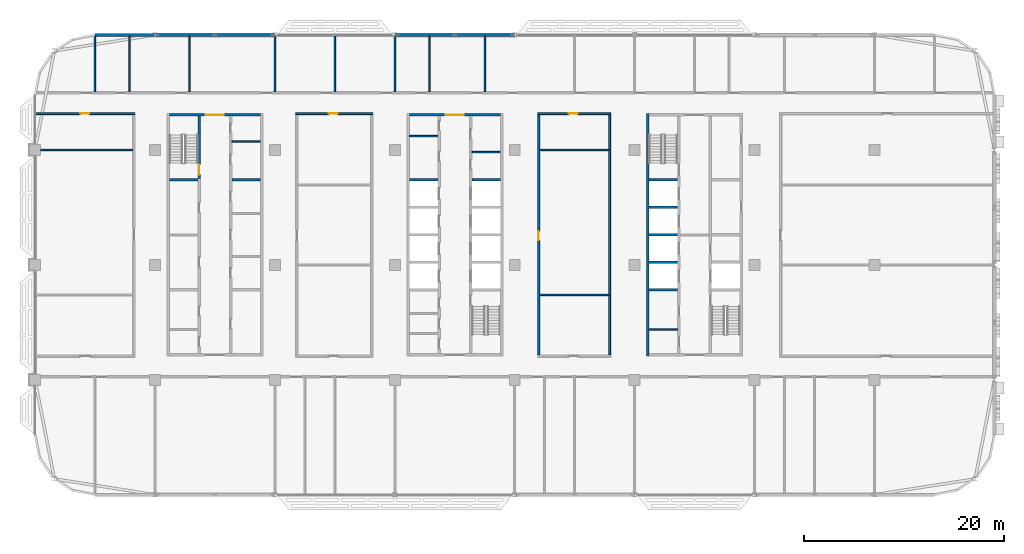
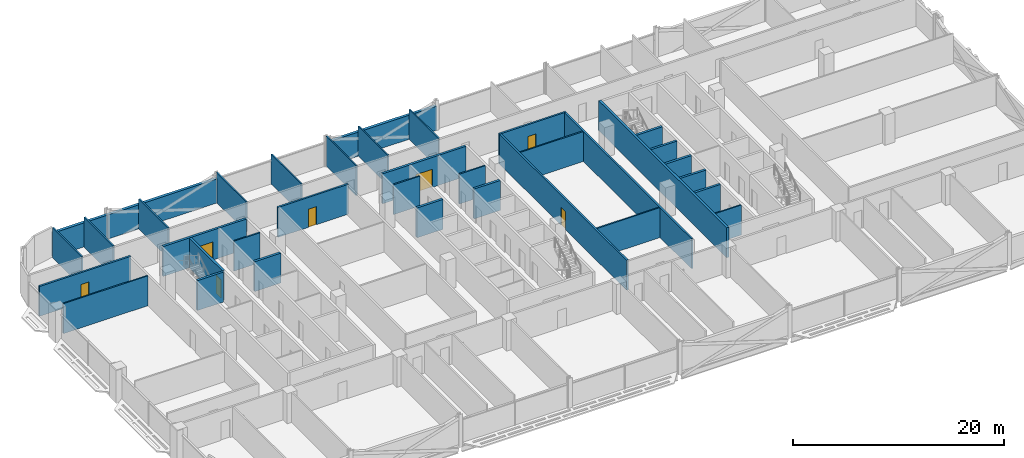
# One storey, part 15 of 30: 36 walls, 7 doors, 7 openings.
"""IFC4 building model written with IfcOpenShell, lengths in metres."""

from ifc_helpers import new_model, si_unit, direction, frame, frame_2d, origin, place, context, subcontext, project, spatial, rectangle, extrude, material, layer, layer_set, type_object, element, fill, save


model = new_model("IFC4")

# Units and contexts
model_context = context("Model", 3, precision=1e-05, world=origin(), true_north=direction((0.0, 1.0)))
body_context = subcontext(model_context, "Body", "Model", "MODEL_VIEW")
ifc_project = project(units=[si_unit("LENGTHUNIT", "METRE"), si_unit("AREAUNIT", "SQUARE_METRE"), si_unit("VOLUMEUNIT", "CUBIC_METRE"), si_unit("PLANEANGLEUNIT", "RADIAN"), si_unit("MASSUNIT", "GRAM", prefix="KILO")], contexts=[model_context])

# Site, building, storey
site_placement = place(None, origin())
site = spatial("IfcSite", under=ifc_project, at=site_placement, CompositionType="ELEMENT")
building_placement = place(site_placement, origin())
building = spatial("IfcBuilding", under=site, at=building_placement, Name="Mahtab Terrace Research Tower", CompositionType="ELEMENT")
storey_placement = place(building_placement, frame((0.0, 0.0, 212.89990234375)))
storey = spatial("IfcBuildingStorey", under=building, at=storey_placement, Name="L51", CompositionType="ELEMENT", Elevation=212.89990234375)

# Walls
ifc_material_1 = material(Name="Gypsum board partition")
ifc_layer_1 = layer(ifc_material_1, 0.14990234375)
ifc_layer_set_1 = layer_set([ifc_layer_1], Name="Core partition 150")
wall_type_1 = type_object("IfcWallType", Name="Core partition 150", PredefinedType="PARTITIONING", material=ifc_layer_set_1)
for number, where, z_axis, x_axis, name in (
    (1, (-22.300048828125, 12.35498046875, 0.0), (0.0, 0.0, 1.0), (1.0, 0.0, 0.0), "Core wall A pEN936"),
    (2, (-4.550048828125, 12.875, 0.0), (0.0, 0.0, 1.0), (1.0, 0.0, 0.0), "Core wall B pWN988"),
    (3, (1.699951171875, 11.27490234375, 0.0), (0.0, 0.0, 1.0), (1.0, 0.0, 0.0), "Core wall B pEN828"),
    (4, (19.449951171875, -6.47509765625, 0.0), (0.0, 0.0, 1.0), (1.0, 0.0, 0.0), "Core wall C pWS-948"),
):
    element("IfcWall", number, at=place(storey_placement, frame(where, z_axis=z_axis, x_axis=x_axis)), inside=storey, type_object=wall_type_1, Name=name, PredefinedType="PARTITIONING", context=body_context, shape_type="SweptSolid", body=[
        extrude(rectangle(XDim=2.85009765625, YDim=0.14990234375, at=frame_2d((1.425048828125, 0.0))), origin(), (0.0, 0.0, 1.0), 3.460205078125),
    ])

# Wall, opening, door
ifc_material_2 = material(Name="Concrete C70/85", Category="concrete")
ifc_layer_2 = layer(ifc_material_2, 0.25)
ifc_layer_set_2 = layer_set([ifc_layer_2], Name="Core wall 250")
wall_type_2 = type_object("IfcWallType", Name="Core wall 250", PredefinedType="SOLIDWALL", material=ifc_layer_set_2)
wall_1_placement = place(storey_placement, frame((-28.550048828125, 15.0, 0.0), z_axis=(0.0, 0.0, 1.0), x_axis=(1.0, 0.0, 0.0)))
wall_1 = element("IfcWall", 5, at=wall_1_placement, inside=storey, type_object=wall_type_2, Name="Core wall A endN", PredefinedType="SOLIDWALL", context=body_context, shape_type="SweptSolid", body=[
    extrude(rectangle(XDim=9.10009765625, YDim=0.25, at=frame_2d((4.550048828125, 0.0))), origin(), (0.0, 0.0, 1.0), 3.460205078125),
])
opening_1_placement = place(wall_1_placement, frame((3.64990234375, 0.0, 0.0)))
opening_1 = element("IfcOpeningElement", 6, at=opening_1_placement, cuts=wall_1, Name="Opening A-N1", PredefinedType="OPENING", context=body_context, shape_type="SweptSolid", body=[
    extrude(rectangle(XDim=1.800048828125, YDim=2.10009765625, at=frame_2d((0.89990234375, 1.050048828125))), frame((0.0, 0.135009765625, 0.0), z_axis=(0.0, -1.0, 0.0), x_axis=(1.0, 0.0, 0.0)), (0.0, 0.0, 1.0), 0.27001953125),
])
ifc_material_3 = material(Name="Steel fire door", Category="steel")
door_type_1 = type_object("IfcDoorType", Name="Lobby double door 1800x2100 1 HR", OperationType="DOUBLE_DOOR_SINGLE_SWING", PredefinedType="DOOR", material=ifc_material_3)
door_1_placement = place(opening_1_placement, origin())
door_1 = element("IfcDoor", 7, at=door_1_placement, inside=storey, type_object=door_type_1, Name="Core entrance door A N", OperationType="DOUBLE_DOOR_SINGLE_SWING", OverallHeight=2.10009765625, OverallWidth=1.800048828125, PredefinedType="DOOR", context=body_context, shape_type="SweptSolid", body=[
    extrude(rectangle(XDim=1.800048828125, YDim=2.10009765625, at=frame_2d((0.89990234375, 1.050048828125))), frame((0.0, 0.02490234375, 0.0), z_axis=(0.0, -1.0, 0.0), x_axis=(1.0, 0.0, 0.0)), (0.0, 0.0, 1.0), 0.050048828125),
])
fill(opening_1, door_1)

wall_2_placement = place(storey_placement, frame((-25.574951171875, 14.875, 0.0), z_axis=(0.0, 0.0, 1.0), x_axis=(0.0, -1.0, 0.0)))
wall_2 = element("IfcWall", 8, at=wall_2_placement, inside=storey, type_object=wall_type_2, Name="Core wall A innerWN", PredefinedType="SOLIDWALL", context=body_context, shape_type="SweptSolid", body=[
    extrude(rectangle(XDim=6.25, YDim=0.25, at=frame_2d((3.125, 0.0))), origin(), (0.0, 0.0, 1.0), 3.460205078125),
])
opening_2_placement = place(wall_2_placement, frame((4.85009765625, 0.0, 0.0)))
opening_2 = element("IfcOpeningElement", 9, at=opening_2_placement, cuts=wall_2, Name="Opening A-ST1", PredefinedType="OPENING", context=body_context, shape_type="SweptSolid", body=[
    extrude(rectangle(XDim=1.0, YDim=2.10009765625, at=frame_2d((0.5, 1.050048828125))), frame((0.0, 0.135009765625, 0.0), z_axis=(0.0, -1.0, 0.0), x_axis=(1.0, 0.0, 0.0)), (0.0, 0.0, 1.0), 0.27001953125),
])
door_type_2 = type_object("IfcDoorType", Name="Stair door 1000x2100 1.5 HR", OperationType="NOTDEFINED", PredefinedType="DOOR", material=ifc_material_3)
door_2_placement = place(opening_2_placement, origin())
door_2 = element("IfcDoor", 10, at=door_2_placement, inside=storey, type_object=door_type_2, Name="Stair door ST1 L51", OperationType="SINGLE_SWING_LEFT", OverallHeight=2.10009765625, OverallWidth=1.0, PredefinedType="DOOR", context=body_context, shape_type="SweptSolid", body=[
    extrude(rectangle(XDim=1.0, YDim=2.10009765625, at=frame_2d((0.5, 1.050048828125))), frame((0.0, 0.02490234375, 0.0), z_axis=(0.0, -1.0, 0.0), x_axis=(1.0, 0.0, 0.0)), (0.0, 0.0, 1.0), 0.050048828125),
])
fill(opening_2, door_2)

# Walls
for number, where, z_axis, x_axis, name in (
    (11, (-28.550048828125, 8.5, 0.0), (0.0, 0.0, 1.0), (1.0, 0.0, 0.0), "Core wall A divW4"),
    (12, (-22.300048828125, 8.5, 0.0), (0.0, 0.0, 1.0), (1.0, 0.0, 0.0), "Core wall A divE4"),
):
    element("IfcWall", number, at=place(storey_placement, frame(where, z_axis=z_axis, x_axis=x_axis)), inside=storey, type_object=wall_type_2, Name=name, PredefinedType="SOLIDWALL", context=body_context, shape_type="SweptSolid", body=[
        extrude(rectangle(XDim=2.85009765625, YDim=0.25, at=frame_2d((1.425048828125, 0.0))), origin(), (0.0, 0.0, 1.0), 3.460205078125),
    ])

# Wall, opening, door
wall_3_placement = place(storey_placement, frame((-4.550048828125, 15.0, 0.0), z_axis=(0.0, 0.0, 1.0), x_axis=(1.0, 0.0, 0.0)))
wall_3 = element("IfcWall", 13, at=wall_3_placement, inside=storey, type_object=wall_type_2, Name="Core wall B endN", PredefinedType="SOLIDWALL", context=body_context, shape_type="SweptSolid", body=[
    extrude(rectangle(XDim=9.10009765625, YDim=0.25, at=frame_2d((4.550048828125, 0.0))), origin(), (0.0, 0.0, 1.0), 3.460205078125),
])
opening_3_placement = place(wall_3_placement, frame((3.64990234375, 0.0, 0.0)))
opening_3 = element("IfcOpeningElement", 14, at=opening_3_placement, cuts=wall_3, Name="Opening B-N1", PredefinedType="OPENING", context=body_context, shape_type="SweptSolid", body=[
    extrude(rectangle(XDim=1.800048828125, YDim=2.10009765625, at=frame_2d((0.89990234375, 1.050048828125))), frame((0.0, 0.135009765625, 0.0), z_axis=(0.0, -1.0, 0.0), x_axis=(1.0, 0.0, 0.0)), (0.0, 0.0, 1.0), 0.27001953125),
])
door_3_placement = place(opening_3_placement, origin())
door_3 = element("IfcDoor", 15, at=door_3_placement, inside=storey, type_object=door_type_1, Name="Core entrance door B N", OperationType="DOUBLE_DOOR_SINGLE_SWING", OverallHeight=2.10009765625, OverallWidth=1.800048828125, PredefinedType="DOOR", context=body_context, shape_type="SweptSolid", body=[
    extrude(rectangle(XDim=1.800048828125, YDim=2.10009765625, at=frame_2d((0.89990234375, 1.050048828125))), frame((0.0, 0.02490234375, 0.0), z_axis=(0.0, -1.0, 0.0), x_axis=(1.0, 0.0, 0.0)), (0.0, 0.0, 1.0), 0.050048828125),
])
fill(opening_3, door_3)

# Walls
for number, where, z_axis, x_axis, name in (
    (16, (-4.550048828125, 8.5, 0.0), (0.0, 0.0, 1.0), (1.0, 0.0, 0.0), "Core wall B divW4"),
    (17, (1.699951171875, 8.5, 0.0), (0.0, 0.0, 1.0), (1.0, 0.0, 0.0), "Core wall B divE4"),
):
    element("IfcWall", number, at=place(storey_placement, frame(where, z_axis=z_axis, x_axis=x_axis)), inside=storey, type_object=wall_type_2, Name=name, PredefinedType="SOLIDWALL", context=body_context, shape_type="SweptSolid", body=[
        extrude(rectangle(XDim=2.85009765625, YDim=0.25, at=frame_2d((1.425048828125, 0.0))), origin(), (0.0, 0.0, 1.0), 3.460205078125),
    ])
wall_4_placement = place(storey_placement, frame((19.324951171875, 15.125, 0.0), z_axis=(0.0, 0.0, 1.0), x_axis=(0.0, -1.0, 0.0)))
element("IfcWall", 18, at=wall_4_placement, inside=storey, type_object=wall_type_2, Name="Core wall C outerW", PredefinedType="SOLIDWALL", context=body_context, shape_type="SweptSolid", body=[
    extrude(rectangle(XDim=24.25, YDim=0.25, at=frame_2d((12.125, 0.0))), origin(), (0.0, 0.0, 1.0), 3.460205078125),
])
for number, where, z_axis, x_axis, name in (
    (19, (19.449951171875, -2.5, 0.0), (0.0, 0.0, 1.0), (1.0, 0.0, 0.0), "Core wall C divW0"),
    (20, (19.449951171875, 0.25, 0.0), (0.0, 0.0, 1.0), (1.0, 0.0, 0.0), "Core wall C divW1"),
    (21, (19.449951171875, 3.0, 0.0), (0.0, 0.0, 1.0), (1.0, 0.0, 0.0), "Core wall C divW2"),
    (22, (19.449951171875, 5.75, 0.0), (0.0, 0.0, 1.0), (1.0, 0.0, 0.0), "Core wall C divW3"),
    (23, (19.449951171875, 8.5, 0.0), (0.0, 0.0, 1.0), (1.0, 0.0, 0.0), "Core wall C divW4"),
):
    element("IfcWall", number, at=place(storey_placement, frame(where, z_axis=z_axis, x_axis=x_axis)), inside=storey, type_object=wall_type_2, Name=name, PredefinedType="SOLIDWALL", context=body_context, shape_type="SweptSolid", body=[
        extrude(rectangle(XDim=2.85009765625, YDim=0.25, at=frame_2d((1.425048828125, 0.0))), origin(), (0.0, 0.0, 1.0), 3.460205078125),
    ])
ifc_material_4 = material(Name="Black aluminium cladding panel", Category="aluminium")
ifc_layer_3 = layer(ifc_material_4, 0.300048828125)
ifc_layer_set_3 = layer_set([ifc_layer_3], Name="Opaque facade wall 300")
wall_type_3 = type_object("IfcWallType", Name="Opaque facade wall 300", PredefinedType="NOTDEFINED", material=ifc_layer_set_3)
for number, where, z_axis, x_axis, name in (
    (24, (5.987548828125, 23.0, 0.0), (0.0, 0.0, 1.0), (-1.0, 0.0, 0.0), "Opaque facade wall L51 N7"),
    (25, (-18.012451171875, 23.0, 0.0), (0.0, 0.0, 1.0), (-1.0, 0.0, 0.0), "Opaque facade wall L51 N9"),
):
    element("IfcWall", number, at=place(storey_placement, frame(where, z_axis=z_axis, x_axis=x_axis)), inside=storey, type_object=wall_type_3, Name=name, PredefinedType="NOTDEFINED", context=body_context, shape_type="SweptSolid", body=[
        extrude(rectangle(XDim=11.97509765625, YDim=0.300048828125, at=frame_2d((5.987548828125, 0.0))), origin(), (0.0, 0.0, 1.0), 2.781982421875),
    ])
wall_5_placement = place(storey_placement, frame((-30.012451171875, 23.0, 0.0), z_axis=(0.0, 0.0, 1.0), x_axis=(-1.0, 0.0, 0.0)))
element("IfcWall", 26, at=wall_5_placement, inside=storey, type_object=wall_type_3, Name="Opaque facade wall L51 N10", PredefinedType="NOTDEFINED", context=body_context, shape_type="SweptSolid", body=[
    extrude(rectangle(XDim=5.987548828125, YDim=0.300048828125, at=frame_2d((2.99365234375, 0.0))), origin(), (0.0, 0.0, 1.0), 2.781982421875),
])

# Wall, opening, door
ifc_material_5 = material(Name="Gypsum board corridor wall on steel studs", Category="steel")
ifc_layer_4 = layer(ifc_material_5, 0.199951171875)
ifc_layer_set_4 = layer_set([ifc_layer_4], Name="WALL CORRIDOR 200")
wall_type_4 = type_object("IfcWallType", Name="WALL CORRIDOR 200", PredefinedType="PARTITIONING", material=ifc_layer_set_4)
wall_6_placement = place(storey_placement, frame((-41.97509765625, 15.125, 0.0), z_axis=(0.0, 0.0, 1.0), x_axis=(1.0, 0.0, 0.0)))
wall_6 = element("IfcWall", 27, at=wall_6_placement, inside=storey, type_object=wall_type_4, Name="L51-W022", PredefinedType="PARTITIONING", context=body_context, shape_type="SweptSolid", body=[
    extrude(rectangle(XDim=9.97509765625, YDim=0.199951171875, at=frame_2d((4.987548828125, 0.0))), origin(), (0.0, 0.0, 1.0), 3.460205078125),
])
opening_4_placement = place(wall_6_placement, frame((4.5, 0.0, 0.0)))
opening_4 = element("IfcOpeningElement", 28, at=opening_4_placement, cuts=wall_6, Name="Opening L51-126", PredefinedType="OPENING", context=body_context, shape_type="SweptSolid", body=[
    extrude(rectangle(XDim=0.89990234375, YDim=2.10009765625, at=frame_2d((0.449951171875, 1.050048828125))), frame((0.0, 0.10986328125, 0.0), z_axis=(0.0, -1.0, 0.0), x_axis=(1.0, 0.0, 0.0)), (0.0, 0.0, 1.0), 0.219970703125),
])
ifc_material_6 = material(Name="Timber door leaf in steel frame", Category="steel")
door_type_3 = type_object("IfcDoorType", Name="DOOR 0900X2100 FD30S", OperationType="SINGLE_SWING_LEFT", PredefinedType="DOOR", material=ifc_material_6)
door_4_placement = place(opening_4_placement, origin())
door_4 = element("IfcDoor", 29, at=door_4_placement, inside=storey, type_object=door_type_3, Name="Door L51-126", OperationType="SINGLE_SWING_LEFT", OverallHeight=2.10009765625, OverallWidth=0.89990234375, PredefinedType="DOOR", context=body_context, shape_type="SweptSolid", body=[
    extrude(rectangle(XDim=0.89990234375, YDim=2.10009765625, at=frame_2d((0.449951171875, 1.050048828125))), frame((0.0, 0.02490234375, 0.0), z_axis=(0.0, -1.0, 0.0), x_axis=(1.0, 0.0, 0.0)), (0.0, 0.0, 1.0), 0.050048828125),
])
fill(opening_4, door_4)

wall_7_placement = place(storey_placement, frame((-15.89990234375, 15.125, 0.0), z_axis=(0.0, 0.0, 1.0), x_axis=(1.0, 0.0, 0.0)))
wall_7 = element("IfcWall", 30, at=wall_7_placement, inside=storey, type_object=wall_type_4, Name="L51-W023", PredefinedType="PARTITIONING", context=body_context, shape_type="SweptSolid", body=[
    extrude(rectangle(XDim=7.699951171875, YDim=0.199951171875, at=frame_2d((3.85009765625, 0.0))), origin(), (0.0, 0.0, 1.0), 3.460205078125),
])
opening_5_placement = place(wall_7_placement, frame((3.300048828125, 0.0, 0.0)))
opening_5 = element("IfcOpeningElement", 31, at=opening_5_placement, cuts=wall_7, Name="Opening L51-124", PredefinedType="OPENING", context=body_context, shape_type="SweptSolid", body=[
    extrude(rectangle(XDim=0.89990234375, YDim=2.10009765625, at=frame_2d((0.449951171875, 1.050048828125))), frame((0.0, 0.10986328125, 0.0), z_axis=(0.0, -1.0, 0.0), x_axis=(1.0, 0.0, 0.0)), (0.0, 0.0, 1.0), 0.219970703125),
])
door_5_placement = place(opening_5_placement, origin())
door_5 = element("IfcDoor", 32, at=door_5_placement, inside=storey, type_object=door_type_3, Name="Door L51-124", OperationType="SINGLE_SWING_RIGHT", OverallHeight=2.10009765625, OverallWidth=0.89990234375, PredefinedType="DOOR", context=body_context, shape_type="SweptSolid", body=[
    extrude(rectangle(XDim=0.89990234375, YDim=2.10009765625, at=frame_2d((0.449951171875, 1.050048828125))), frame((0.0, 0.02490234375, 0.0), z_axis=(0.0, -1.0, 0.0), x_axis=(1.0, 0.0, 0.0)), (0.0, 0.0, 1.0), 0.050048828125),
])
fill(opening_5, door_5)

wall_8_placement = place(storey_placement, frame((8.300048828125, 15.125, 0.0), z_axis=(0.0, 0.0, 1.0), x_axis=(1.0, 0.0, 0.0)))
wall_8 = element("IfcWall", 33, at=wall_8_placement, inside=storey, type_object=wall_type_4, Name="L51-W024", PredefinedType="PARTITIONING", context=body_context, shape_type="SweptSolid", body=[
    extrude(rectangle(XDim=7.300048828125, YDim=0.199951171875, at=frame_2d((3.64990234375, 0.0))), origin(), (0.0, 0.0, 1.0), 3.460205078125),
])
opening_6_placement = place(wall_8_placement, frame((3.10009765625, 0.0, 0.0)))
opening_6 = element("IfcOpeningElement", 34, at=opening_6_placement, cuts=wall_8, Name="Opening L51-127", PredefinedType="OPENING", context=body_context, shape_type="SweptSolid", body=[
    extrude(rectangle(XDim=0.89990234375, YDim=2.10009765625, at=frame_2d((0.449951171875, 1.050048828125))), frame((0.0, 0.10986328125, 0.0), z_axis=(0.0, -1.0, 0.0), x_axis=(1.0, 0.0, 0.0)), (0.0, 0.0, 1.0), 0.219970703125),
])
door_6_placement = place(opening_6_placement, origin())
door_6 = element("IfcDoor", 35, at=door_6_placement, inside=storey, type_object=door_type_3, Name="Door L51-127", OperationType="SINGLE_SWING_RIGHT", OverallHeight=2.10009765625, OverallWidth=0.89990234375, PredefinedType="DOOR", context=body_context, shape_type="SweptSolid", body=[
    extrude(rectangle(XDim=0.89990234375, YDim=2.10009765625, at=frame_2d((0.449951171875, 1.050048828125))), frame((0.0, 0.02490234375, 0.0), z_axis=(0.0, -1.0, 0.0), x_axis=(1.0, 0.0, 0.0)), (0.0, 0.0, 1.0), 0.050048828125),
])
fill(opening_6, door_6)

wall_9_placement = place(storey_placement, frame((8.39990234375, -9.02490234375, 0.0), z_axis=(0.0, 0.0, 1.0), x_axis=(0.0, 1.0, 0.0)))
wall_9 = element("IfcWall", 36, at=wall_9_placement, inside=storey, type_object=wall_type_4, Name="L51-W045", PredefinedType="PARTITIONING", context=body_context, shape_type="SweptSolid", body=[
    extrude(rectangle(XDim=24.0498046875, YDim=0.199951171875, at=frame_2d((12.02490234375, 0.0))), origin(), (0.0, 0.0, 1.0), 3.460205078125),
])
opening_7_placement = place(wall_9_placement, frame((11.5, 0.0, 0.0)))
opening_7 = element("IfcOpeningElement", 37, at=opening_7_placement, cuts=wall_9, Name="Opening L51-122", PredefinedType="OPENING", context=body_context, shape_type="SweptSolid", body=[
    extrude(rectangle(XDim=0.89990234375, YDim=2.10009765625, at=frame_2d((0.449951171875, 1.050048828125))), frame((0.0, 0.10986328125, 0.0), z_axis=(0.0, -1.0, 0.0), x_axis=(1.0, 0.0, 0.0)), (0.0, 0.0, 1.0), 0.219970703125),
])
door_7_placement = place(opening_7_placement, origin())
door_7 = element("IfcDoor", 38, at=door_7_placement, inside=storey, type_object=door_type_3, Name="Door L51-122", OperationType="SINGLE_SWING_RIGHT", OverallHeight=2.10009765625, OverallWidth=0.89990234375, PredefinedType="DOOR", context=body_context, shape_type="SweptSolid", body=[
    extrude(rectangle(XDim=0.89990234375, YDim=2.10009765625, at=frame_2d((0.449951171875, 1.050048828125))), frame((0.0, 0.02490234375, 0.0), z_axis=(0.0, -1.0, 0.0), x_axis=(1.0, 0.0, 0.0)), (0.0, 0.0, 1.0), 0.050048828125),
])
fill(opening_7, door_7)

# Walls
wall_10_placement = place(storey_placement, frame((15.5, -9.02490234375, 0.0), z_axis=(0.0, 0.0, 1.0), x_axis=(0.0, 1.0, 0.0)))
element("IfcWall", 39, at=wall_10_placement, inside=storey, type_object=wall_type_4, Name="L51-W049", PredefinedType="PARTITIONING", context=body_context, shape_type="SweptSolid", body=[
    extrude(rectangle(XDim=24.0498046875, YDim=0.199951171875, at=frame_2d((12.02490234375, 0.0))), origin(), (0.0, 0.0, 1.0), 3.460205078125),
])
ifc_material_7 = material(Name="Gypsum board partition on steel studs", Category="steel")
ifc_layer_5 = layer(ifc_material_7, 0.14990234375)
ifc_layer_set_5 = layer_set([ifc_layer_5], Name="WALL PARTITION 150")
wall_type_5 = type_object("IfcWallType", Name="WALL PARTITION 150", PredefinedType="PARTITIONING", material=ifc_layer_set_5)
wall_11_placement = place(storey_placement, frame((8.5, -3.0, 0.0), z_axis=(0.0, 0.0, 1.0), x_axis=(1.0, 0.0, 0.0)))
element("IfcWall", 40, at=wall_11_placement, inside=storey, type_object=wall_type_5, Name="L51-W014", PredefinedType="PARTITIONING", context=body_context, shape_type="SweptSolid", body=[
    extrude(rectangle(XDim=6.89990234375, YDim=0.14990234375, at=frame_2d((3.449951171875, 0.0))), origin(), (0.0, 0.0, 1.0), 3.460205078125),
])
wall_12_placement = place(storey_placement, frame((-41.449951171875, 11.5, 0.0), z_axis=(0.0, 0.0, 1.0), x_axis=(1.0, 0.0, 0.0)))
element("IfcWall", 41, at=wall_12_placement, inside=storey, type_object=wall_type_5, Name="L51-W020", PredefinedType="PARTITIONING", context=body_context, shape_type="SweptSolid", body=[
    extrude(rectangle(XDim=9.25, YDim=0.14990234375, at=frame_2d((4.625, 0.0))), origin(), (0.0, 0.0, 1.0), 3.460205078125),
])
wall_13_placement = place(storey_placement, frame((8.5, 11.5, 0.0), z_axis=(0.0, 0.0, 1.0), x_axis=(1.0, 0.0, 0.0)))
element("IfcWall", 42, at=wall_13_placement, inside=storey, type_object=wall_type_5, Name="L51-W021", PredefinedType="PARTITIONING", context=body_context, shape_type="SweptSolid", body=[
    extrude(rectangle(XDim=6.89990234375, YDim=0.14990234375, at=frame_2d((3.449951171875, 0.0))), origin(), (0.0, 0.0, 1.0), 3.460205078125),
])
wall_14_placement = place(storey_placement, frame((-36.0, 17.300048828125, 0.0), z_axis=(0.0, 0.0, 1.0), x_axis=(0.0, 1.0, 0.0)))
element("IfcWall", 43, at=wall_14_placement, inside=storey, type_object=wall_type_5, Name="L51-W028", PredefinedType="PARTITIONING", context=body_context, shape_type="SweptSolid", body=[
    extrude(rectangle(XDim=5.547119140625, YDim=0.14990234375, at=frame_2d((2.7734375, 0.0))), origin(), (0.0, 0.0, 1.0), 3.460205078125),
])
for number, where, z_axis, x_axis, name in (
    (44, (-32.550048828125, 17.300048828125, 0.0), (0.0, 0.0, 1.0), (0.0, 1.0, 0.0), "L51-W029"),
    (45, (-26.550048828125, 17.300048828125, 0.0), (0.0, 0.0, 1.0), (0.0, 1.0, 0.0), "L51-W032"),
):
    element("IfcWall", number, at=place(storey_placement, frame(where, z_axis=z_axis, x_axis=x_axis)), inside=storey, type_object=wall_type_5, Name=name, PredefinedType="PARTITIONING", context=body_context, shape_type="SweptSolid", body=[
        extrude(rectangle(XDim=5.550048828125, YDim=0.14990234375, at=frame_2d((2.77490234375, 0.0))), origin(), (0.0, 0.0, 1.0), 3.460205078125),
    ])
for number, where, z_axis, x_axis, name in (
    (46, (-18.0, 17.300048828125, 0.0), (0.0, 0.0, 1.0), (0.0, 1.0, 0.0), "L51-W034"),
    (47, (-12.0, 17.300048828125, 0.0), (0.0, 0.0, 1.0), (0.0, 1.0, 0.0), "L51-W038"),
    (48, (-6.0, 17.300048828125, 0.0), (0.0, 0.0, 1.0), (0.0, 1.0, 0.0), "L51-W041"),
):
    element("IfcWall", number, at=place(storey_placement, frame(where, z_axis=z_axis, x_axis=x_axis)), inside=storey, type_object=wall_type_5, Name=name, PredefinedType="PARTITIONING", context=body_context, shape_type="SweptSolid", body=[
        extrude(rectangle(XDim=5.675048828125, YDim=0.14990234375, at=frame_2d((2.83740234375, 0.0))), origin(), (0.0, 0.0, 1.0), 3.460205078125),
    ])
for number, where, z_axis, x_axis, name in (
    (49, (-2.550048828125, 17.300048828125, 0.0), (0.0, 0.0, 1.0), (0.0, 1.0, 0.0), "L51-W042"),
    (50, (3.0, 17.300048828125, 0.0), (0.0, 0.0, 1.0), (0.0, 1.0, 0.0), "L51-W043"),
):
    element("IfcWall", number, at=place(storey_placement, frame(where, z_axis=z_axis, x_axis=x_axis)), inside=storey, type_object=wall_type_5, Name=name, PredefinedType="PARTITIONING", context=body_context, shape_type="SweptSolid", body=[
        extrude(rectangle(XDim=5.550048828125, YDim=0.14990234375, at=frame_2d((2.77490234375, 0.0))), origin(), (0.0, 0.0, 1.0), 3.460205078125),
    ])

save(model, "model.ifc")
